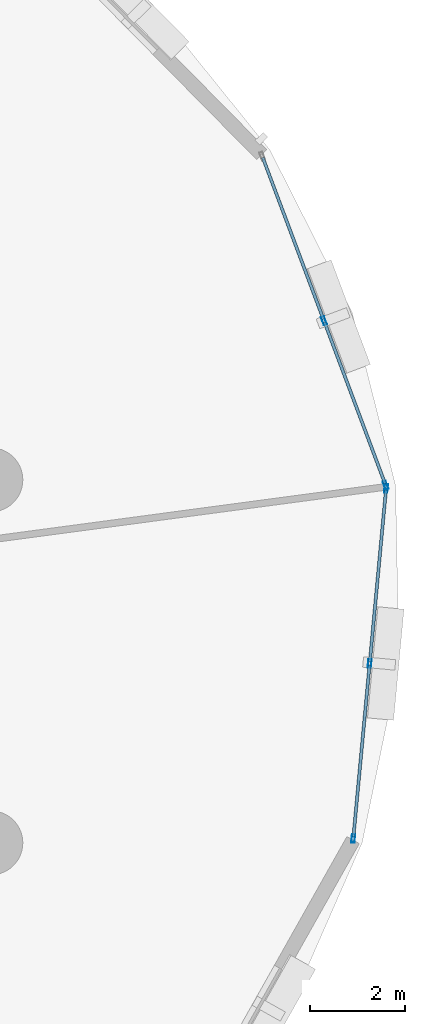
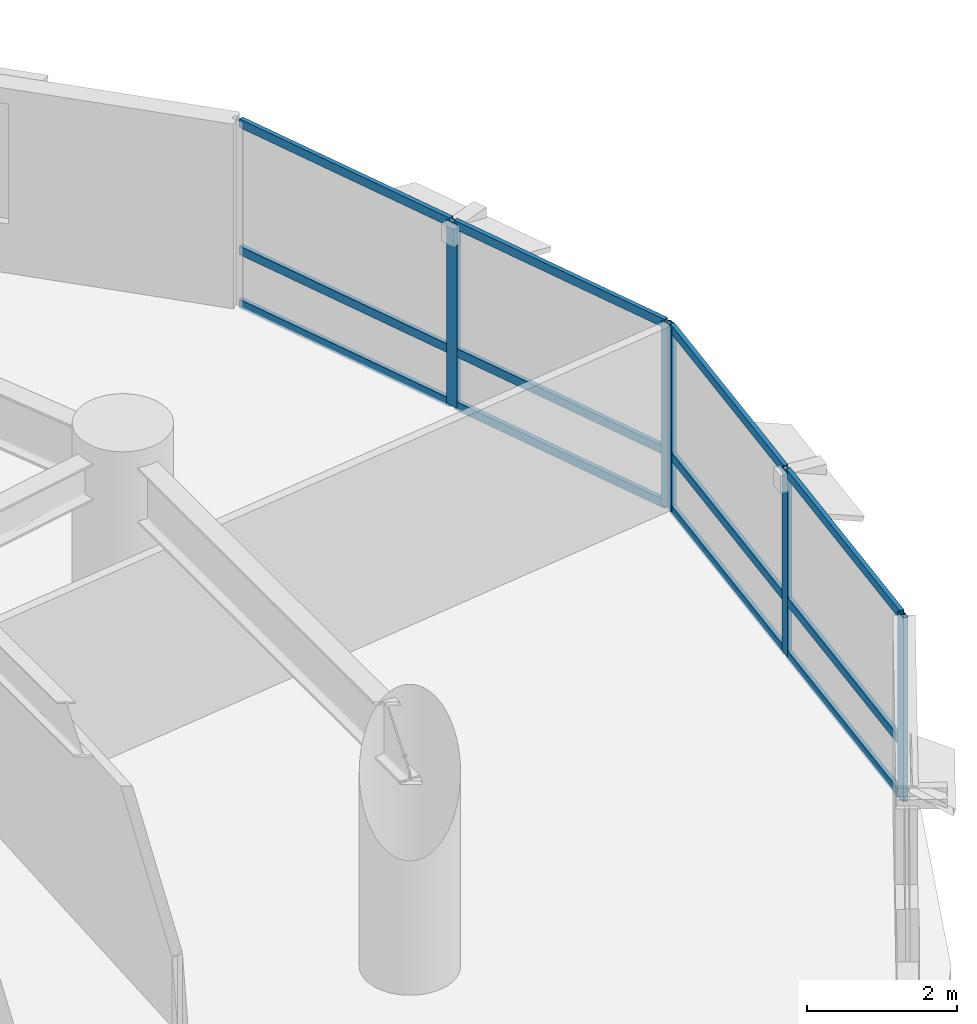
# One storey, part 8 of 17: 17 members, 2 elements without a shape of their own.
"""IFC4 building model written with IfcOpenShell, lengths in metres."""

from ifc_helpers import new_model, si_unit, direction, frame, origin, origin_2d, place, context, subcontext, project, spatial, hollow_rectangle, extrude, material, layer, layer_set, material_profile, profile_set, type_object, element, aggregate, save


model = new_model("IFC4")

# Units and contexts
model_context = context("Model", 3, precision=1e-05, world=origin(), true_north=direction((0.0, 1.0)))
body_context = subcontext(model_context, "Body", "Model", "MODEL_VIEW")
ifc_project = project(units=[si_unit("LENGTHUNIT", "METRE"), si_unit("AREAUNIT", "SQUARE_METRE"), si_unit("VOLUMEUNIT", "CUBIC_METRE"), si_unit("PLANEANGLEUNIT", "RADIAN"), si_unit("MASSUNIT", "GRAM", prefix="KILO"), si_unit("THERMODYNAMICTEMPERATUREUNIT", "KELVIN"), si_unit("POWERUNIT", "WATT")], contexts=[model_context])

# Site, building, storey
site_placement = place(None, origin())
site = spatial("IfcSite", under=ifc_project, at=site_placement, CompositionType="ELEMENT")
building_placement = place(site_placement, origin())
building = spatial("IfcBuilding", under=site, at=building_placement, Name="Ocrelia Relay Tower", CompositionType="ELEMENT")
storey_placement = place(building_placement, frame((0.0, 0.0, 63.60009765625)))
storey = spatial("IfcBuildingStorey", under=building, at=storey_placement, Name="L14", CompositionType="ELEMENT", Elevation=63.60009765625)

# Curtain wall, members
ifc_material_1 = material(Name="Aluminium and solar-control low-E glass", Category="aluminium")
ifc_layer = layer(ifc_material_1, 0.179931640625, Name="Aluminium and solar-control low-E glass")
ifc_layer_set = layer_set([ifc_layer], Name="Aluminium and solar-control low-E glass")
curtain_wall_type = type_object("IfcCurtainWallType", Name="CW-SYS-Z1-DATA", PredefinedType="NOTDEFINED", material=ifc_layer_set)
curtain_wall_1_placement = place(storey_placement, origin())
curtain_wall_1 = element("IfcCurtainWall", 1, at=curtain_wall_1_placement, inside=storey, type_object=curtain_wall_type, Name="L14 Elliptical Tower Curtain Wall Bay 01", PredefinedType="NOTDEFINED")
ifc_material_2 = material(Name="Anodised bronze aluminium", Category="aluminium")
ifc_material_profile_1 = material_profile(ifc_material_2, hollow_rectangle(XDim=0.070068359375, YDim=0.179931640625, WallThickness=0.006103515625, at=origin_2d()), Name="CW-MUL-180x70")
ifc_profile_set_1 = profile_set([ifc_material_profile_1], Name="Anodised bronze aluminium")
member_type_1 = type_object("IfcMemberType", Name="CW-SYS-Z1-DATA-MUL", PredefinedType="MULLION", material=ifc_profile_set_1)
member_1_placement = place(storey_placement, frame((61.54345703125, 29.70947265625, 0.0), z_axis=(0.0, 0.0, 1.0), x_axis=(-0.936304436743, -0.351189410055, 0.0)))
member_1 = element("IfcMember", 2, at=member_1_placement, type_object=member_type_1, Name="CW-Z1 mullion 1", PredefinedType="MULLION", context=body_context, shape_type="SweptSolid", body=[
    extrude(hollow_rectangle(XDim=0.070068359375, YDim=0.179931640625, WallThickness=0.006103515625, at=origin_2d()), origin(), (0.0, 0.0, 1.0), 3.0),
])
member_2_placement = place(storey_placement, frame((60.2431640625, 33.17626953125, 0.0), z_axis=(0.0, 0.0, 1.0), x_axis=(-0.936304436743, -0.351189410055, 0.0)))
member_2 = element("IfcMember", 3, at=member_2_placement, type_object=member_type_1, Name="CW-Z1 mullion 2", PredefinedType="MULLION", context=body_context, shape_type="SweptSolid", body=[
    extrude(hollow_rectangle(XDim=0.070068359375, YDim=0.179931640625, WallThickness=0.006103515625, at=origin_2d()), origin(), (0.0, 0.0, 1.0), 3.0),
])

curtain_wall_2_placement = place(storey_placement, origin())
curtain_wall_2 = element("IfcCurtainWall", 4, at=curtain_wall_2_placement, inside=storey, type_object=curtain_wall_type, Name="L14 Elliptical Tower Curtain Wall Bay 18", PredefinedType="NOTDEFINED")
member_3_placement = place(storey_placement, frame((60.86083984375, 22.268798828125, 0.0), z_axis=(0.0, 0.0, 1.0), x_axis=(-0.995627424728, 0.093413227811, 0.0)))
member_3 = element("IfcMember", 5, at=member_3_placement, type_object=member_type_1, Name="CW-Z1 mullion 1", PredefinedType="MULLION", context=body_context, shape_type="SweptSolid", body=[
    extrude(hollow_rectangle(XDim=0.070068359375, YDim=0.179931640625, WallThickness=0.006103515625, at=origin_2d()), origin(), (0.0, 0.0, 1.0), 3.0),
])
member_4_placement = place(storey_placement, frame((61.20654296875, 25.955322265625, 0.0), z_axis=(0.0, 0.0, 1.0), x_axis=(-0.995627424728, 0.093413227811, 0.0)))
member_4 = element("IfcMember", 6, at=member_4_placement, type_object=member_type_1, Name="CW-Z1 mullion 2", PredefinedType="MULLION", context=body_context, shape_type="SweptSolid", body=[
    extrude(hollow_rectangle(XDim=0.070068359375, YDim=0.179931640625, WallThickness=0.006103515625, at=origin_2d()), origin(), (0.0, 0.0, 1.0), 3.0),
])
member_5_placement = place(storey_placement, frame((61.552490234375, 29.641845703125, 0.0), z_axis=(0.0, 0.0, 1.0), x_axis=(-0.995627424728, 0.093413227811, 0.0)))
member_5 = element("IfcMember", 7, at=member_5_placement, type_object=member_type_1, Name="CW-Z1 mullion 3", PredefinedType="MULLION", context=body_context, shape_type="SweptSolid", body=[
    extrude(hollow_rectangle(XDim=0.070068359375, YDim=0.179931640625, WallThickness=0.006103515625, at=origin_2d()), origin(), (0.0, 0.0, 1.0), 3.0),
])

# Member
ifc_material_profile_2 = material_profile(ifc_material_2, hollow_rectangle(XDim=0.06494140625, YDim=0.139892578125, WallThickness=0.0048828125, at=origin_2d()), Name="CW-TRN-140x65")
ifc_profile_set_2 = profile_set([ifc_material_profile_2], Name="Anodised bronze aluminium")
member_type_2 = type_object("IfcMemberType", Name="CW-SYS-Z1-DATA-TRN", PredefinedType="USERDEFINED", material=ifc_profile_set_2)
member_6_placement = place(storey_placement, frame((61.53125, 29.7421875, 0.032470703125), z_axis=(-0.351211818822, 0.936296031349, 0.0), x_axis=(-0.936296031349, -0.351211818822, 0.0)))
member_6 = element("IfcMember", 8, at=member_6_placement, type_object=member_type_2, Name="CW-Z1 transom 1.1", ObjectType="TRANSOM", PredefinedType="USERDEFINED", context=body_context, shape_type="SweptSolid", body=[
    extrude(hollow_rectangle(XDim=0.06494140625, YDim=0.139892578125, WallThickness=0.0048828125, at=origin_2d()), origin(), (0.0, 0.0, 1.0), 3.6328125),
])

member_7_placement = place(storey_placement, frame((61.53125, 29.7421875, 0.89990234375), z_axis=(-0.351211818822, 0.936296031349, 0.0), x_axis=(-0.936296031349, -0.351211818822, 0.0)))
member_7 = element("IfcMember", 9, at=member_7_placement, type_object=member_type_2, Name="CW-Z1 transom 1.2", ObjectType="TRANSOM", PredefinedType="USERDEFINED", context=body_context, shape_type="SweptSolid", body=[
    extrude(hollow_rectangle(XDim=0.06494140625, YDim=0.139892578125, WallThickness=0.0048828125, at=origin_2d()), origin(), (0.0, 0.0, 1.0), 3.6328125),
])

member_8_placement = place(storey_placement, frame((61.53125, 29.7421875, 2.96728515625), z_axis=(-0.351211818822, 0.936296031349, 0.0), x_axis=(-0.936296031349, -0.351211818822, 0.0)))
member_8 = element("IfcMember", 10, at=member_8_placement, type_object=member_type_2, Name="CW-Z1 transom 1.3", ObjectType="TRANSOM", PredefinedType="USERDEFINED", context=body_context, shape_type="SweptSolid", body=[
    extrude(hollow_rectangle(XDim=0.06494140625, YDim=0.139892578125, WallThickness=0.0048828125, at=origin_2d()), origin(), (0.0, 0.0, 1.0), 3.6328125),
])

member_9_placement = place(storey_placement, frame((60.23095703125, 33.209228515625, 0.032470703125), z_axis=(-0.351233919593, 0.936287740883, 0.0), x_axis=(-0.936287740883, -0.351233919593, 0.0)))
member_9 = element("IfcMember", 11, at=member_9_placement, type_object=member_type_2, Name="CW-Z1 transom 2.1", ObjectType="TRANSOM", PredefinedType="USERDEFINED", context=body_context, shape_type="SweptSolid", body=[
    extrude(hollow_rectangle(XDim=0.06494140625, YDim=0.139892578125, WallThickness=0.0048828125, at=origin_2d()), origin(), (0.0, 0.0, 1.0), 3.632568359375),
])

member_10_placement = place(storey_placement, frame((60.23095703125, 33.209228515625, 0.89990234375), z_axis=(-0.351233919593, 0.936287740883, 0.0), x_axis=(-0.936287740883, -0.351233919593, 0.0)))
member_10 = element("IfcMember", 12, at=member_10_placement, type_object=member_type_2, Name="CW-Z1 transom 2.2", ObjectType="TRANSOM", PredefinedType="USERDEFINED", context=body_context, shape_type="SweptSolid", body=[
    extrude(hollow_rectangle(XDim=0.06494140625, YDim=0.139892578125, WallThickness=0.0048828125, at=origin_2d()), origin(), (0.0, 0.0, 1.0), 3.632568359375),
])

member_11_placement = place(storey_placement, frame((60.23095703125, 33.209228515625, 2.96728515625), z_axis=(-0.351233919593, 0.936287740883, 0.0), x_axis=(-0.936287740883, -0.351233919593, 0.0)))
member_11 = element("IfcMember", 13, at=member_11_placement, type_object=member_type_2, Name="CW-Z1 transom 2.3", ObjectType="TRANSOM", PredefinedType="USERDEFINED", context=body_context, shape_type="SweptSolid", body=[
    extrude(hollow_rectangle(XDim=0.06494140625, YDim=0.139892578125, WallThickness=0.0048828125, at=origin_2d()), origin(), (0.0, 0.0, 1.0), 3.632568359375),
])

aggregate(curtain_wall_1, [member_1, member_2, member_6, member_7, member_8, member_9, member_10, member_11])

member_12_placement = place(storey_placement, frame((60.864013671875, 22.3037109375, 0.032470703125), z_axis=(0.093419823155, 0.995626805908, 0.0), x_axis=(-0.995626805908, 0.093419823155, 0.0)))
member_12 = element("IfcMember", 14, at=member_12_placement, type_object=member_type_2, Name="CW-Z1 transom 1.1", ObjectType="TRANSOM", PredefinedType="USERDEFINED", context=body_context, shape_type="SweptSolid", body=[
    extrude(hollow_rectangle(XDim=0.06494140625, YDim=0.139892578125, WallThickness=0.0048828125, at=origin_2d()), origin(), (0.0, 0.0, 1.0), 3.632568359375),
])

member_13_placement = place(storey_placement, frame((60.864013671875, 22.3037109375, 0.89990234375), z_axis=(0.093419823155, 0.995626805908, 0.0), x_axis=(-0.995626805908, 0.093419823155, 0.0)))
member_13 = element("IfcMember", 15, at=member_13_placement, type_object=member_type_2, Name="CW-Z1 transom 1.2", ObjectType="TRANSOM", PredefinedType="USERDEFINED", context=body_context, shape_type="SweptSolid", body=[
    extrude(hollow_rectangle(XDim=0.06494140625, YDim=0.139892578125, WallThickness=0.0048828125, at=origin_2d()), origin(), (0.0, 0.0, 1.0), 3.632568359375),
])

member_14_placement = place(storey_placement, frame((60.864013671875, 22.3037109375, 2.96728515625), z_axis=(0.093419823155, 0.995626805908, 0.0), x_axis=(-0.995626805908, 0.093419823155, 0.0)))
member_14 = element("IfcMember", 16, at=member_14_placement, type_object=member_type_2, Name="CW-Z1 transom 1.3", ObjectType="TRANSOM", PredefinedType="USERDEFINED", context=body_context, shape_type="SweptSolid", body=[
    extrude(hollow_rectangle(XDim=0.06494140625, YDim=0.139892578125, WallThickness=0.0048828125, at=origin_2d()), origin(), (0.0, 0.0, 1.0), 3.632568359375),
])

member_15_placement = place(storey_placement, frame((61.2099609375, 25.990234375, 0.032470703125), z_axis=(0.093419823155, 0.995626805908, 0.0), x_axis=(-0.995626805908, 0.093419823155, 0.0)))
member_15 = element("IfcMember", 17, at=member_15_placement, type_object=member_type_2, Name="CW-Z1 transom 2.1", ObjectType="TRANSOM", PredefinedType="USERDEFINED", context=body_context, shape_type="SweptSolid", body=[
    extrude(hollow_rectangle(XDim=0.06494140625, YDim=0.139892578125, WallThickness=0.0048828125, at=origin_2d()), origin(), (0.0, 0.0, 1.0), 3.632568359375),
])

member_16_placement = place(storey_placement, frame((61.2099609375, 25.990234375, 0.89990234375), z_axis=(0.093419823155, 0.995626805908, 0.0), x_axis=(-0.995626805908, 0.093419823155, 0.0)))
member_16 = element("IfcMember", 18, at=member_16_placement, type_object=member_type_2, Name="CW-Z1 transom 2.2", ObjectType="TRANSOM", PredefinedType="USERDEFINED", context=body_context, shape_type="SweptSolid", body=[
    extrude(hollow_rectangle(XDim=0.06494140625, YDim=0.139892578125, WallThickness=0.0048828125, at=origin_2d()), origin(), (0.0, 0.0, 1.0), 3.632568359375),
])

member_17_placement = place(storey_placement, frame((61.2099609375, 25.990234375, 2.96728515625), z_axis=(0.093419823155, 0.995626805908, 0.0), x_axis=(-0.995626805908, 0.093419823155, 0.0)))
member_17 = element("IfcMember", 19, at=member_17_placement, type_object=member_type_2, Name="CW-Z1 transom 2.3", ObjectType="TRANSOM", PredefinedType="USERDEFINED", context=body_context, shape_type="SweptSolid", body=[
    extrude(hollow_rectangle(XDim=0.06494140625, YDim=0.139892578125, WallThickness=0.0048828125, at=origin_2d()), origin(), (0.0, 0.0, 1.0), 3.632568359375),
])

aggregate(curtain_wall_2, [member_3, member_4, member_5, member_12, member_13, member_14, member_15, member_16, member_17])

save(model, "model.ifc")
